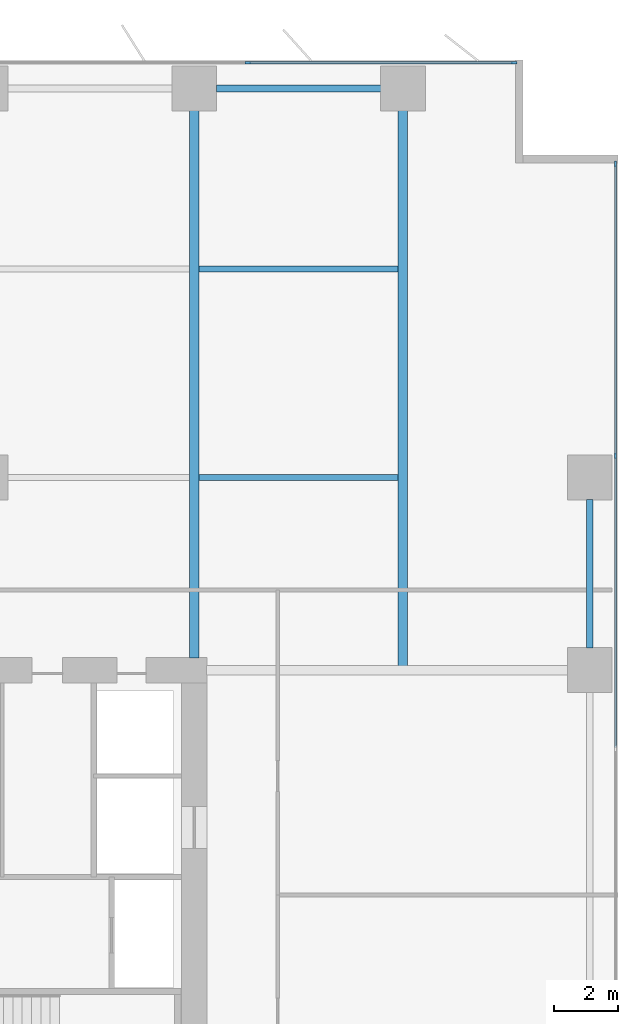
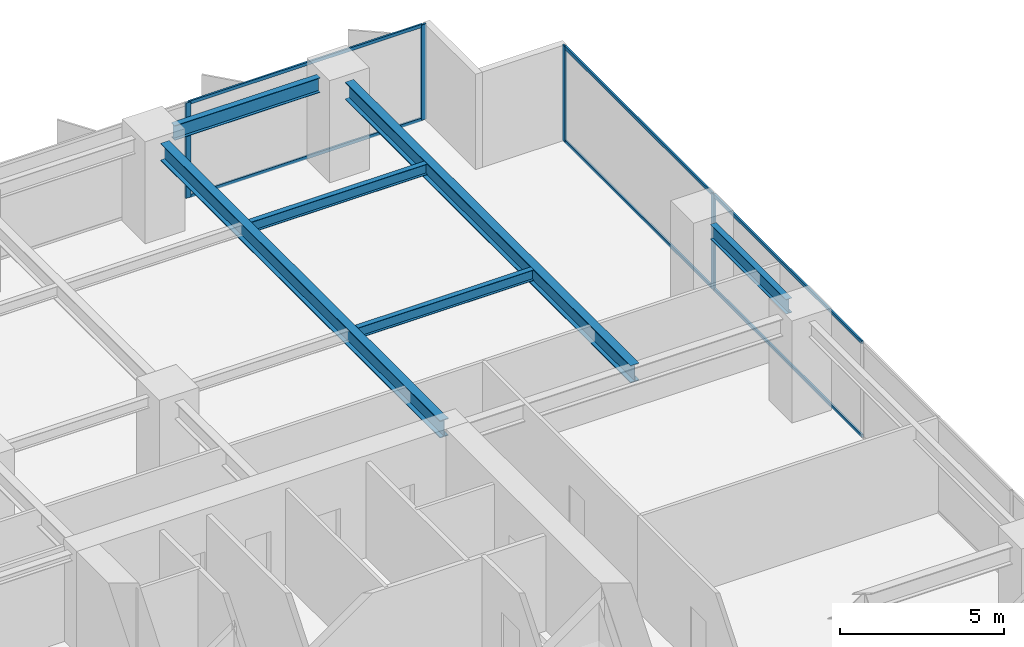
# One storey, part 11 of 20: 10 members, 6 beams, 2 elements without a shape of their own.
"""IFC4 building model written with IfcOpenShell, lengths in metres."""

from ifc_helpers import new_model, si_unit, direction, frame, origin, origin_2d, place, context, subcontext, project, spatial, rectangle, i_section, extrude, material, layer, layer_set, material_profile, profile_set, type_object, element, aggregate, save


model = new_model("IFC4")

# Units and contexts
model_context = context("Model", 3, precision=1e-05, world=origin(), true_north=direction((0.0, 1.0)))
body_context = subcontext(model_context, "Body", "Model", "MODEL_VIEW")
ifc_project = project(units=[si_unit("LENGTHUNIT", "METRE"), si_unit("AREAUNIT", "SQUARE_METRE"), si_unit("VOLUMEUNIT", "CUBIC_METRE"), si_unit("PLANEANGLEUNIT", "RADIAN"), si_unit("MASSUNIT", "GRAM", prefix="KILO")], contexts=[model_context])

# Site, building, storey
site_placement = place(None, origin())
site = spatial("IfcSite", under=ifc_project, at=site_placement, CompositionType="ELEMENT")
building_placement = place(site_placement, origin())
building = spatial("IfcBuilding", under=site, at=building_placement, Name="Putna Gate Headquarters", CompositionType="ELEMENT")
storey_placement = place(building_placement, frame((0.0, 0.0, 31.60009765625)))
storey = spatial("IfcBuildingStorey", under=building, at=storey_placement, Name="L06", CompositionType="ELEMENT", Elevation=31.60009765625)

# Beams
ifc_material_1 = material(Name="Steel S355J2", Category="steel")
ifc_material_profile_1 = material_profile(ifc_material_1, i_section(OverallWidth=0.300048828125, OverallDepth=0.64990234375, WebThickness=0.01611328125, FlangeThickness=0.031005859375, at=origin_2d()), Name="Steel S355J2")
ifc_profile_set_1 = profile_set([ifc_material_profile_1], Name="Steel S355J2")
beam_type_1 = type_object("IfcBeamType", Name="BM-GIRD-Z1-HEB650", PredefinedType="USERDEFINED", material=ifc_profile_set_1)
beam_1_placement = place(storey_placement, frame((65.0, 33.385009765625, 3.224853515625), z_axis=(0.0, 1.0, 0.0), x_axis=(-1.0, 0.0, 0.0)))
element("IfcBeam", 1, at=beam_1_placement, inside=storey, type_object=beam_type_1, Name="L06 North Primary Girder X65", ObjectType="GIRDER", PredefinedType="USERDEFINED", context=body_context, shape_type="SweptSolid", body=[
    extrude(i_section(OverallWidth=0.300048828125, OverallDepth=0.64990234375, WebThickness=0.01611328125, FlangeThickness=0.031005859375, at=origin_2d()), origin(), (0.0, 0.0, 1.0), 17.046875),
])
beam_2_placement = place(storey_placement, frame((71.5, 33.011962890625, 3.224853515625), z_axis=(0.0, 1.0, 0.0), x_axis=(-1.0, 0.0, 0.0)))
element("IfcBeam", 2, at=beam_2_placement, inside=storey, type_object=beam_type_1, Name="L06 North Primary Girder X71", ObjectType="GIRDER", PredefinedType="USERDEFINED", context=body_context, shape_type="SweptSolid", body=[
    extrude(i_section(OverallWidth=0.300048828125, OverallDepth=0.64990234375, WebThickness=0.01611328125, FlangeThickness=0.031005859375, at=origin_2d()), origin(), (0.0, 0.0, 1.0), 17.419921875),
])
ifc_material_profile_2 = material_profile(ifc_material_1, i_section(OverallWidth=0.179931640625, OverallDepth=0.39990234375, WebThickness=0.008544921875, FlangeThickness=0.013427734375, at=origin_2d()), Name="Steel S355J2")
ifc_profile_set_2 = profile_set([ifc_material_profile_2], Name="Steel S355J2")
beam_type_2 = type_object("IfcBeamType", Name="BM-SEC-Z1-IPE400", PredefinedType="BEAM", material=ifc_profile_set_2)
for number, where, z_axis, x_axis, name in (
    (3, (65.154052734375, 39.0, 3.349853515625), (1.0, 0.0, 0.0), (0.0, 1.0, 0.0), "L06 North Secondary Beam 10"),
    (4, (65.154052734375, 45.5, 3.349853515625), (1.0, 0.0, 0.0), (0.0, 1.0, 0.0), "L06 North Secondary Beam 10"),
):
    element("IfcBeam", number, at=place(storey_placement, frame(where, z_axis=z_axis, x_axis=x_axis)), inside=storey, type_object=beam_type_2, Name=name, PredefinedType="BEAM", context=body_context, shape_type="SweptSolid", body=[
        extrude(i_section(OverallWidth=0.179931640625, OverallDepth=0.39990234375, WebThickness=0.008544921875, FlangeThickness=0.013427734375, at=origin_2d()), origin(), (0.0, 0.0, 1.0), 6.19189453125),
    ])
ifc_material_profile_3 = material_profile(ifc_material_1, i_section(OverallWidth=0.2099609375, OverallDepth=0.550048828125, WebThickness=0.010986328125, FlangeThickness=0.01708984375, at=origin_2d()), Name="Steel S355J2")
ifc_profile_set_3 = profile_set([ifc_material_profile_3], Name="Steel S355J2")
beam_type_3 = type_object("IfcBeamType", Name="BM-SPAN-Z1-IPE550", PredefinedType="SPANDREL", material=ifc_profile_set_3)
beam_3_placement = place(storey_placement, frame((65.68798828125, 51.1201171875, 3.27490234375), z_axis=(1.0, 0.0, 0.0), x_axis=(0.0, 1.0, 0.0)))
element("IfcBeam", 5, at=beam_3_placement, inside=storey, type_object=beam_type_3, Name="L06 N Perimeter Spandrel 10", PredefinedType="SPANDREL", context=body_context, shape_type="SweptSolid", body=[
    extrude(i_section(OverallWidth=0.2099609375, OverallDepth=0.550048828125, WebThickness=0.010986328125, FlangeThickness=0.01708984375, at=origin_2d()), origin(), (0.0, 0.0, 1.0), 5.1240234375),
])
beam_4_placement = place(storey_placement, frame((77.320068359375, 33.68798828125, 3.27490234375), z_axis=(0.0, 1.0, 0.0), x_axis=(-1.0, 0.0, 0.0)))
element("IfcBeam", 6, at=beam_4_placement, inside=storey, type_object=beam_type_3, Name="L06 E End Spandrel 3", PredefinedType="SPANDREL", context=body_context, shape_type="SweptSolid", body=[
    extrude(i_section(OverallWidth=0.2099609375, OverallDepth=0.550048828125, WebThickness=0.010986328125, FlangeThickness=0.01708984375, at=origin_2d()), origin(), (0.0, 0.0, 1.0), 4.6240234375),
])

# Curtain wall, members
ifc_material_2 = material(Name="Anodised bronze aluminium curtain wall", Category="aluminium")
ifc_layer = layer(ifc_material_2, 0.179931640625)
ifc_layer_set = layer_set([ifc_layer], Name="Anodised bronze aluminium curtain wall")
curtain_wall_type = type_object("IfcCurtainWallType", Name="CW-SYS-Z1", PredefinedType="USERDEFINED", material=ifc_layer_set)
curtain_wall_1_placement = place(storey_placement, origin())
curtain_wall_1 = element("IfcCurtainWall", 7, at=curtain_wall_1_placement, inside=storey, type_object=curtain_wall_type, Name="L06 North East Curtain Wall", ObjectType="STICK CURTAIN WALL", PredefinedType="USERDEFINED")
ifc_material_3 = material(Name="Anodised bronze aluminium EN AW-6060", Category="aluminium")
ifc_material_profile_4 = material_profile(ifc_material_3, rectangle(XDim=0.070068359375, YDim=0.179931640625, at=origin_2d()), Name="Anodised bronze aluminium EN AW-6060")
ifc_profile_set_4 = profile_set([ifc_material_profile_4], Name="Anodised bronze aluminium EN AW-6060")
member_type_1 = type_object("IfcMemberType", Name="MULL-CWM-1", PredefinedType="MULLION", material=ifc_profile_set_4)
member_1_placement = place(storey_placement, frame((66.666748046875, 51.919921875, 0.0), z_axis=(0.0, 0.0, 1.0), x_axis=(0.0, 1.0, 0.0)))
member_1 = element("IfcMember", 8, at=member_1_placement, type_object=member_type_1, Name="CWS-1 mullion 3", PredefinedType="MULLION", context=body_context, shape_type="SweptSolid", body=[
    extrude(rectangle(XDim=0.070068359375, YDim=0.179931640625, at=origin_2d()), origin(), (0.0, 0.0, 1.0), 3.5498046875),
])
member_2_placement = place(storey_placement, frame((74.965087890625, 51.919921875, 0.0), z_axis=(0.0, 0.0, 1.0), x_axis=(0.0, 1.0, 0.0)))
member_2 = element("IfcMember", 9, at=member_2_placement, type_object=member_type_1, Name="CWS-1 mullion 4", PredefinedType="MULLION", context=body_context, shape_type="SweptSolid", body=[
    extrude(rectangle(XDim=0.070068359375, YDim=0.179931640625, at=origin_2d()), origin(), (0.0, 0.0, 1.0), 3.5498046875),
])

curtain_wall_2_placement = place(storey_placement, origin())
curtain_wall_2 = element("IfcCurtainWall", 10, at=curtain_wall_2_placement, inside=storey, type_object=curtain_wall_type, Name="L06 East Curtain Wall", ObjectType="STICK CURTAIN WALL", PredefinedType="USERDEFINED")
member_3_placement = place(storey_placement, frame((78.1201171875, 39.679931640625, 0.0), z_axis=(0.0, 0.0, 1.0), x_axis=(-1.0, 0.0, 0.0)))
member_3 = element("IfcMember", 11, at=member_3_placement, type_object=member_type_1, Name="CWS-1 mullion 5", PredefinedType="MULLION", context=body_context, shape_type="SweptSolid", body=[
    extrude(rectangle(XDim=0.070068359375, YDim=0.179931640625, at=origin_2d()), origin(), (0.0, 0.0, 1.0), 3.5498046875),
])
member_4_placement = place(storey_placement, frame((78.1201171875, 48.764892578125, 0.0), z_axis=(0.0, 0.0, 1.0), x_axis=(-1.0, 0.0, 0.0)))
member_4 = element("IfcMember", 12, at=member_4_placement, type_object=member_type_1, Name="CWS-1 mullion 6", PredefinedType="MULLION", context=body_context, shape_type="SweptSolid", body=[
    extrude(rectangle(XDim=0.070068359375, YDim=0.179931640625, at=origin_2d()), origin(), (0.0, 0.0, 1.0), 3.5498046875),
])

# Member
ifc_material_profile_5 = material_profile(ifc_material_3, rectangle(XDim=0.06494140625, YDim=0.1201171875, at=origin_2d()), Name="Anodised bronze aluminium EN AW-6060")
ifc_profile_set_5 = profile_set([ifc_material_profile_5], Name="Anodised bronze aluminium EN AW-6060")
member_type_2 = type_object("IfcMemberType", Name="TRAN-CWT-1", PredefinedType="USERDEFINED", material=ifc_profile_set_5)
member_5_placement = place(storey_placement, frame((66.70166015625, 51.919921875, 0.032470703125), z_axis=(1.0, 0.0, 0.0), x_axis=(0.0, 1.0, 0.0)))
member_5 = element("IfcMember", 13, at=member_5_placement, type_object=member_type_2, Name="CWS-1 transom 3.1", ObjectType="TRANSOM", PredefinedType="USERDEFINED", context=body_context, shape_type="SweptSolid", body=[
    extrude(rectangle(XDim=0.06494140625, YDim=0.1201171875, at=origin_2d()), origin(), (0.0, 0.0, 1.0), 8.228271484375),
])

member_6_placement = place(storey_placement, frame((66.70166015625, 51.919921875, 3.517333984375), z_axis=(1.0, 0.0, 0.0), x_axis=(0.0, 1.0, 0.0)))
member_6 = element("IfcMember", 14, at=member_6_placement, type_object=member_type_2, Name="CWS-1 transom 3.2", ObjectType="TRANSOM", PredefinedType="USERDEFINED", context=body_context, shape_type="SweptSolid", body=[
    extrude(rectangle(XDim=0.06494140625, YDim=0.1201171875, at=origin_2d()), origin(), (0.0, 0.0, 1.0), 8.228271484375),
])

aggregate(curtain_wall_1, [member_1, member_2, member_5, member_6])

member_7_placement = place(storey_placement, frame((78.1201171875, 30.594970703125, 0.032470703125), z_axis=(0.0, 1.0, 0.0), x_axis=(-1.0, 0.0, 0.0)))
member_7 = element("IfcMember", 15, at=member_7_placement, type_object=member_type_2, Name="CWS-1 transom 4.1", ObjectType="TRANSOM", PredefinedType="USERDEFINED", context=body_context, shape_type="SweptSolid", body=[
    extrude(rectangle(XDim=0.06494140625, YDim=0.1201171875, at=origin_2d()), origin(), (0.0, 0.0, 1.0), 9.050048828125),
])

member_8_placement = place(storey_placement, frame((78.1201171875, 30.594970703125, 3.517333984375), z_axis=(0.0, 1.0, 0.0), x_axis=(-1.0, 0.0, 0.0)))
member_8 = element("IfcMember", 16, at=member_8_placement, type_object=member_type_2, Name="CWS-1 transom 4.2", ObjectType="TRANSOM", PredefinedType="USERDEFINED", context=body_context, shape_type="SweptSolid", body=[
    extrude(rectangle(XDim=0.06494140625, YDim=0.1201171875, at=origin_2d()), origin(), (0.0, 0.0, 1.0), 9.050048828125),
])

member_9_placement = place(storey_placement, frame((78.1201171875, 39.715087890625, 0.032470703125), z_axis=(0.0, 1.0, 0.0), x_axis=(-1.0, 0.0, 0.0)))
member_9 = element("IfcMember", 17, at=member_9_placement, type_object=member_type_2, Name="CWS-1 transom 5.1", ObjectType="TRANSOM", PredefinedType="USERDEFINED", context=body_context, shape_type="SweptSolid", body=[
    extrude(rectangle(XDim=0.06494140625, YDim=0.1201171875, at=origin_2d()), origin(), (0.0, 0.0, 1.0), 9.014892578125),
])

member_10_placement = place(storey_placement, frame((78.1201171875, 39.715087890625, 3.517333984375), z_axis=(0.0, 1.0, 0.0), x_axis=(-1.0, 0.0, 0.0)))
member_10 = element("IfcMember", 18, at=member_10_placement, type_object=member_type_2, Name="CWS-1 transom 5.2", ObjectType="TRANSOM", PredefinedType="USERDEFINED", context=body_context, shape_type="SweptSolid", body=[
    extrude(rectangle(XDim=0.06494140625, YDim=0.1201171875, at=origin_2d()), origin(), (0.0, 0.0, 1.0), 9.014892578125),
])

aggregate(curtain_wall_2, [member_3, member_4, member_7, member_8, member_9, member_10])

save(model, "model.ifc")
